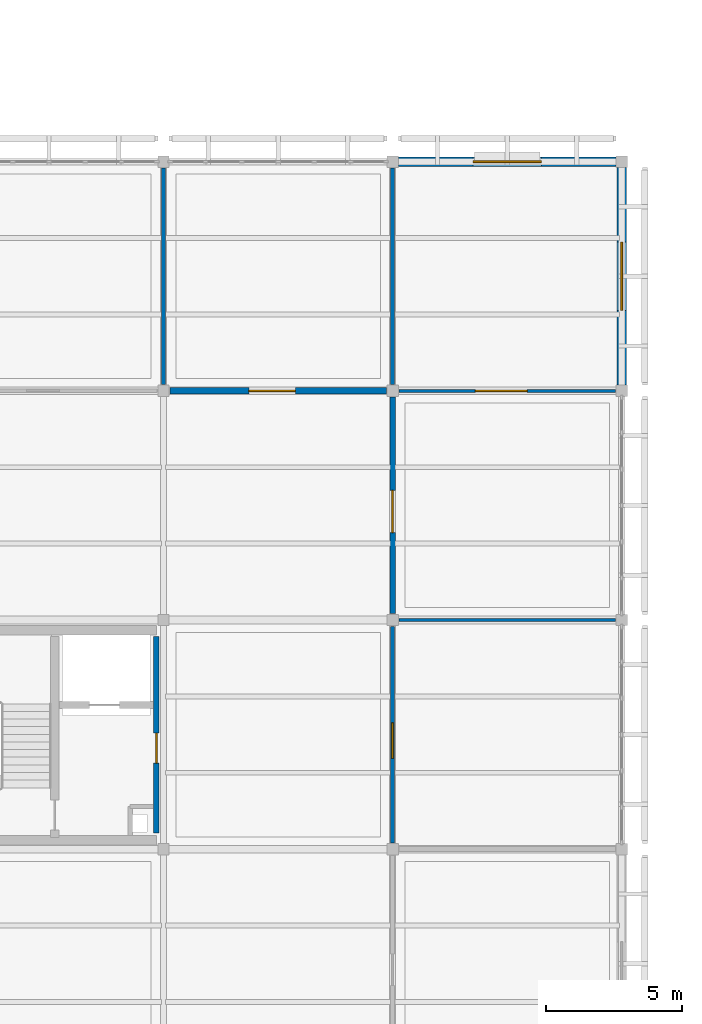
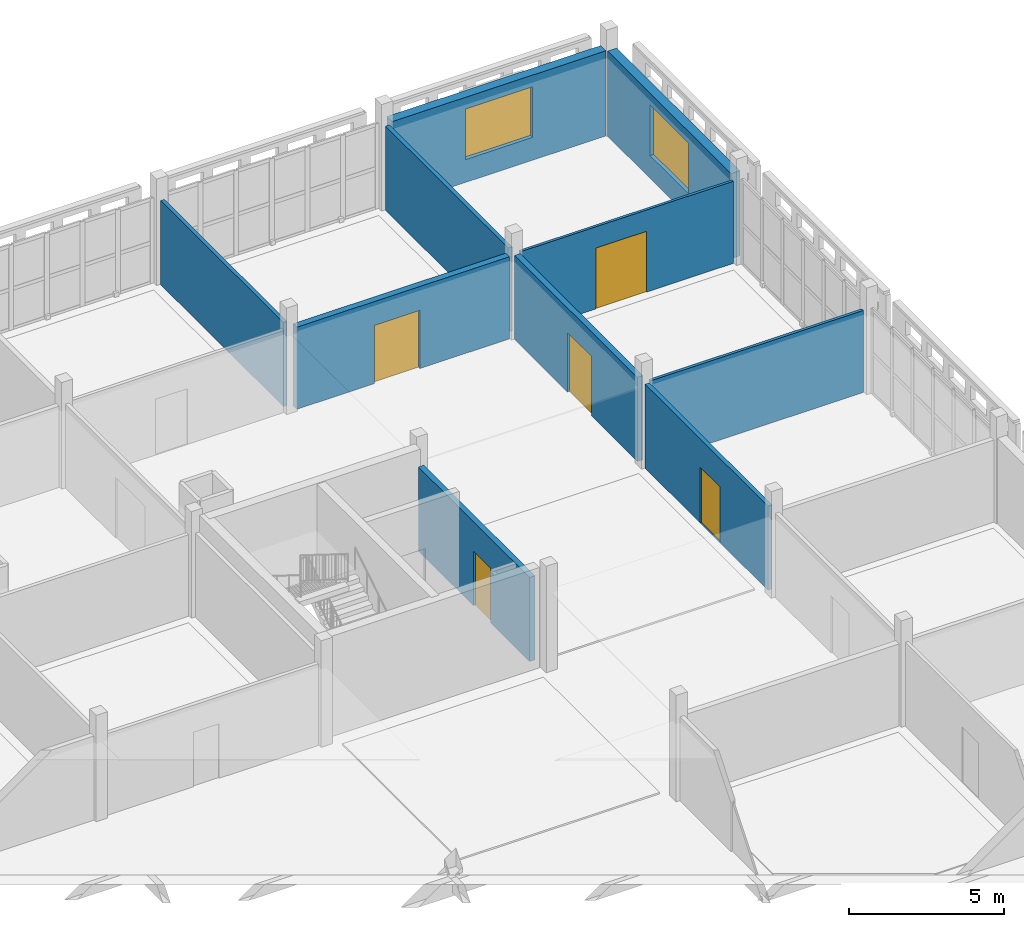
# One storey, part 107 of 166: 10 walls, 5 doors, 2 windows, 7 openings.
"""IFC4 building model written with IfcOpenShell, lengths in metres."""

from ifc_helpers import new_model, si_unit, direction, frame, frame_2d, origin, place, context, subcontext, project, spatial, rectangle, extrude, material, layer, layer_set, type_object, element, fill, save


model = new_model("IFC4")

# Units and contexts
model_context = context("Model", 3, precision=1e-05, world=origin(), true_north=direction((0.0, 1.0)))
body_context = subcontext(model_context, "Body", "Model", "MODEL_VIEW")
ifc_project = project(units=[si_unit("LENGTHUNIT", "METRE"), si_unit("AREAUNIT", "SQUARE_METRE"), si_unit("VOLUMEUNIT", "CUBIC_METRE"), si_unit("PLANEANGLEUNIT", "RADIAN"), si_unit("MASSUNIT", "GRAM", prefix="KILO")], contexts=[model_context])

# Site, building, storey
site_placement = place(None, origin())
site = spatial("IfcSite", under=ifc_project, at=site_placement, CompositionType="ELEMENT")
building_placement = place(site_placement, origin())
building = spatial("IfcBuilding", under=site, at=building_placement, Name="Varnapada Polytechnic", CompositionType="ELEMENT")
storey_placement = place(building_placement, frame((0.0, 0.0, 9.60009765625)))
storey = spatial("IfcBuildingStorey", under=building, at=storey_placement, Name="L02", CompositionType="ELEMENT", Elevation=9.60009765625)

# Wall, opening, door
ifc_material_1 = material(Name="Autoclaved Aerated Concrete Block AAC-600", Category="concrete")
ifc_layer_1 = layer(ifc_material_1, 0.199951171875)
ifc_layer_set_1 = layer_set([ifc_layer_1], Name="Autoclaved Aerated Concrete Block AAC-600")
wall_type_1 = type_object("IfcWallType", Name="Interior Wall IW-01", PredefinedType="PARTITIONING", material=ifc_layer_set_1)
wall_1_placement = place(storey_placement, frame((159.340087890625, 100.199951171875, 0.0), z_axis=(0.0, 0.0, 1.0), x_axis=(0.0, -1.0, 0.0)))
wall_1 = element("IfcWall", 1, at=wall_1_placement, inside=storey, type_object=wall_type_1, Name="L02 C5 firefighting lobby east wall", PredefinedType="PARTITIONING", context=body_context, shape_type="SweptSolid", body=[
    extrude(rectangle(XDim=7.199951171875, YDim=0.199951171875, at=frame_2d((3.60009765625, 0.0))), origin(), (0.0, 0.0, 1.0), 3.31982421875),
])
opening_1_placement = place(wall_1_placement, frame((3.550048828125, 0.0, 0.0)))
opening_1 = element("IfcOpeningElement", 2, at=opening_1_placement, cuts=wall_1, Name="Opening D-1094", PredefinedType="OPENING", context=body_context, shape_type="SweptSolid", body=[
    extrude(rectangle(XDim=1.10009765625, YDim=2.14990234375, at=frame_2d((0.550048828125, 1.074951171875))), frame((0.0, 0.10986328125, 0.0), z_axis=(0.0, -1.0, 0.0), x_axis=(1.0, 0.0, 0.0)), (0.0, 0.0, 1.0), 0.219970703125),
])
ifc_material_2 = material(Name="Galvanized Steel Z275", Category="steel")
door_type_1 = type_object("IfcDoorType", Name="Interior Door ID-01", OperationType="NOTDEFINED", PredefinedType="DOOR", material=ifc_material_2)
door_1_placement = place(opening_1_placement, frame((1.10009765625, 0.0, 0.0), z_axis=(0.0, 0.0, 1.0), x_axis=(-1.0, 0.0, 0.0)))
door_1 = element("IfcDoor", 3, at=door_1_placement, inside=storey, type_object=door_type_1, Name="L02 C5 lobby fire door D-1094", OperationType="SINGLE_SWING_RIGHT", OverallHeight=2.14990234375, OverallWidth=1.10009765625, PredefinedType="DOOR", context=body_context, shape_type="SweptSolid", body=[
    extrude(rectangle(XDim=1.10009765625, YDim=2.14990234375, at=frame_2d((0.550048828125, 1.074951171875))), frame((0.0, 0.02490234375, 0.0), z_axis=(0.0, -1.0, 0.0), x_axis=(1.0, 0.0, 0.0)), (0.0, 0.0, 1.0), 0.050048828125),
])
fill(opening_1, door_1)

# Walls
ifc_layer_2 = layer(ifc_material_1, 0.14990234375)
ifc_layer_set_2 = layer_set([ifc_layer_2], Name="Autoclaved Aerated Concrete Block AAC-600")
wall_type_2 = type_object("IfcWallType", Name="Interior Wall IW-02", PredefinedType="PARTITIONING", material=ifc_layer_set_2)
wall_2_placement = place(storey_placement, frame((168.0, 109.429931640625, 0.0), z_axis=(0.0, 0.0, 1.0), x_axis=(0.0, 1.0, 0.0)))
element("IfcWall", 4, at=wall_2_placement, inside=storey, type_object=wall_type_2, Name="L02 interior partition IW-L02-19-13-V", PredefinedType="PARTITIONING", context=body_context, shape_type="SweptSolid", body=[
    extrude(rectangle(XDim=7.940185546875, YDim=0.14990234375, at=frame_2d((3.97021484375, 0.0))), origin(), (0.0, 0.0, 1.0), 3.31982421875),
])
ifc_material_3 = material(Name="Moisture-Resistant Cement Board Partition")
ifc_layer_3 = layer(ifc_material_3, 0.139892578125)
ifc_layer_set_3 = layer_set([ifc_layer_3], Name="Moisture-Resistant Cement Board Partition")
wall_type_3 = type_object("IfcWallType", Name="Interior Wall IW-04", PredefinedType="PARTITIONING", material=ifc_layer_set_3)
wall_3_placement = place(storey_placement, frame((159.60009765625, 109.429931640625, 0.0), z_axis=(0.0, 0.0, 1.0), x_axis=(0.0, 1.0, 0.0)))
element("IfcWall", 5, at=wall_3_placement, inside=storey, type_object=wall_type_3, Name="L02 interior partition IW-L02-18-13-V", PredefinedType="PARTITIONING", context=body_context, shape_type="SweptSolid", body=[
    extrude(rectangle(XDim=7.940185546875, YDim=0.139892578125, at=frame_2d((3.97021484375, 0.0))), origin(), (0.0, 0.0, 1.0), 3.31982421875),
])
ifc_material_4 = material(Name="Glazed Timber-Framed Studio Screen", Category="wood")
ifc_layer_4 = layer(ifc_material_4, 0.110107421875)
ifc_layer_set_4 = layer_set([ifc_layer_4], Name="Glazed Timber-Framed Studio Screen")
wall_type_4 = type_object("IfcWallType", Name="Interior Wall IW-07", PredefinedType="PARTITIONING", material=ifc_layer_set_4)
wall_4_placement = place(storey_placement, frame((168.22998046875, 100.800048828125, 0.0), z_axis=(0.0, 0.0, 1.0), x_axis=(1.0, 0.0, 0.0)))
element("IfcWall", 6, at=wall_4_placement, inside=storey, type_object=wall_type_4, Name="L02 interior partition IW-L02-20-11-H", PredefinedType="PARTITIONING", context=body_context, shape_type="SweptSolid", body=[
    extrude(rectangle(XDim=7.93994140625, YDim=0.110107421875, at=frame_2d((3.969970703125, 0.0))), origin(), (0.0, 0.0, 1.0), 3.239990234375),
])

# Wall, opening, door
ifc_material_5 = material(Name="Operable Acoustic Seminar Partition")
ifc_layer_5 = layer(ifc_material_5, 0.10009765625)
ifc_layer_set_5 = layer_set([ifc_layer_5], Name="Operable Acoustic Seminar Partition")
wall_type_5 = type_object("IfcWallType", Name="Interior Wall IW-08", PredefinedType="MOVABLE", material=ifc_layer_set_5)
wall_5_placement = place(storey_placement, frame((168.22998046875, 109.199951171875, 0.0), z_axis=(0.0, 0.0, 1.0), x_axis=(1.0, 0.0, 0.0)))
wall_5 = element("IfcWall", 7, at=wall_5_placement, inside=storey, type_object=wall_type_5, Name="L02 interior partition IW-L02-20-12-H", PredefinedType="MOVABLE", context=body_context, shape_type="SweptSolid", body=[
    extrude(rectangle(XDim=7.93994140625, YDim=0.10009765625, at=frame_2d((3.969970703125, 0.0))), origin(), (0.0, 0.0, 1.0), 3.239990234375),
])
opening_2_placement = place(wall_5_placement, frame((2.800048828125, 0.0, 0.0)))
opening_2 = element("IfcOpeningElement", 8, at=opening_2_placement, cuts=wall_5, Name="Opening D-1185", PredefinedType="OPENING", context=body_context, shape_type="SweptSolid", body=[
    extrude(rectangle(XDim=1.89990234375, YDim=2.39990234375, at=frame_2d((0.949951171875, 1.199951171875))), frame((0.0, 0.06005859375, 0.0), z_axis=(0.0, -1.0, 0.0), x_axis=(1.0, 0.0, 0.0)), (0.0, 0.0, 1.0), 0.1201171875),
])
ifc_material_6 = material(Name="Heavy Workshop Double Steel Door", Category="steel")
door_type_2 = type_object("IfcDoorType", Name="Interior Door ID-14", OperationType="NOTDEFINED", PredefinedType="DOOR", material=ifc_material_6)
door_2_placement = place(opening_2_placement, origin())
door_2 = element("IfcDoor", 9, at=door_2_placement, inside=storey, type_object=door_type_2, Name="L02 interior room door D-1185", OperationType="SINGLE_SWING_RIGHT", OverallHeight=2.39990234375, OverallWidth=1.89990234375, PredefinedType="DOOR", context=body_context, shape_type="SweptSolid", body=[
    extrude(rectangle(XDim=1.89990234375, YDim=2.39990234375, at=frame_2d((0.949951171875, 1.199951171875))), frame((0.0, 0.02490234375, 0.0), z_axis=(0.0, -1.0, 0.0), x_axis=(1.0, 0.0, 0.0)), (0.0, 0.0, 1.0), 0.050048828125),
])
fill(opening_2, door_2)

ifc_material_7 = material(Name="Perforated Timber-Lined Seminar Wall", Category="wood")
ifc_layer_6 = layer(ifc_material_7, 0.155029296875)
ifc_layer_set_6 = layer_set([ifc_layer_6], Name="Perforated Timber-Lined Seminar Wall")
wall_type_6 = type_object("IfcWallType", Name="Interior Wall IW-15", PredefinedType="PARTITIONING", material=ifc_layer_set_6)
wall_6_placement = place(storey_placement, frame((168.0, 92.6298828125, 0.0), z_axis=(0.0, 0.0, 1.0), x_axis=(0.0, 1.0, 0.0)))
wall_6 = element("IfcWall", 10, at=wall_6_placement, inside=storey, type_object=wall_type_6, Name="L02 interior partition IW-L02-19-11-V", PredefinedType="PARTITIONING", context=body_context, shape_type="SweptSolid", body=[
    extrude(rectangle(XDim=7.940185546875, YDim=0.155029296875, at=frame_2d((3.97021484375, 0.0))), origin(), (0.0, 0.0, 1.0), 3.31982421875),
])
opening_3_placement = place(wall_6_placement, frame((3.10009765625, 0.0, 0.0)))
opening_3 = element("IfcOpeningElement", 11, at=opening_3_placement, cuts=wall_6, Name="Opening D-1182", PredefinedType="OPENING", context=body_context, shape_type="SweptSolid", body=[
    extrude(rectangle(XDim=1.300048828125, YDim=2.199951171875, at=frame_2d((0.64990234375, 1.10009765625))), frame((0.0, 0.08740234375, 0.0), z_axis=(0.0, -1.0, 0.0), x_axis=(1.0, 0.0, 0.0)), (0.0, 0.0, 1.0), 0.175048828125),
])
ifc_material_8 = material(Name="Acoustic Laminated Timber Leaf", Category="wood")
door_type_3 = type_object("IfcDoorType", Name="Interior Door ID-11", OperationType="NOTDEFINED", PredefinedType="DOOR", material=ifc_material_8)
door_3_placement = place(opening_3_placement, origin())
door_3 = element("IfcDoor", 12, at=door_3_placement, inside=storey, type_object=door_type_3, Name="L02 interior room door D-1182", OperationType="SINGLE_SWING_LEFT", OverallHeight=2.199951171875, OverallWidth=1.300048828125, PredefinedType="DOOR", context=body_context, shape_type="SweptSolid", body=[
    extrude(rectangle(XDim=1.300048828125, YDim=2.199951171875, at=frame_2d((0.64990234375, 1.10009765625))), frame((0.0, 0.02490234375, 0.0), z_axis=(0.0, -1.0, 0.0), x_axis=(1.0, 0.0, 0.0)), (0.0, 0.0, 1.0), 0.050048828125),
])
fill(opening_3, door_3)

ifc_material_9 = material(Name="Heavy Masonry Workshop Partition", Category="masonry")
ifc_layer_7 = layer(ifc_material_9, 0.2099609375)
ifc_layer_set_7 = layer_set([ifc_layer_7], Name="Heavy Masonry Workshop Partition")
wall_type_7 = type_object("IfcWallType", Name="Interior Wall IW-16", PredefinedType="PARTITIONING", material=ifc_layer_set_7)
wall_7_placement = place(storey_placement, frame((168.0, 101.030029296875, 0.0), z_axis=(0.0, 0.0, 1.0), x_axis=(0.0, 1.0, 0.0)))
wall_7 = element("IfcWall", 13, at=wall_7_placement, inside=storey, type_object=wall_type_7, Name="L02 interior partition IW-L02-19-12-V", PredefinedType="PARTITIONING", context=body_context, shape_type="SweptSolid", body=[
    extrude(rectangle(XDim=7.93994140625, YDim=0.2099609375, at=frame_2d((3.969970703125, 0.0))), origin(), (0.0, 0.0, 1.0), 3.31982421875),
])
opening_4_placement = place(wall_7_placement, frame((2.97509765625, 0.0, 0.0)))
opening_4 = element("IfcOpeningElement", 14, at=opening_4_placement, cuts=wall_7, Name="Opening D-1183", PredefinedType="OPENING", context=body_context, shape_type="SweptSolid", body=[
    extrude(rectangle(XDim=1.550048828125, YDim=2.35009765625, at=frame_2d((0.77490234375, 1.175048828125))), frame((0.0, 0.114990234375, 0.0), z_axis=(0.0, -1.0, 0.0), x_axis=(1.0, 0.0, 0.0)), (0.0, 0.0, 1.0), 0.22998046875),
])
door_type_4 = type_object("IfcDoorType", Name="Interior Door ID-12", OperationType="NOTDEFINED", PredefinedType="DOOR", material=ifc_material_2)
door_4_placement = place(opening_4_placement, origin())
door_4 = element("IfcDoor", 15, at=door_4_placement, inside=storey, type_object=door_type_4, Name="L02 interior room door D-1183", OperationType="SINGLE_SWING_RIGHT", OverallHeight=2.35009765625, OverallWidth=1.550048828125, PredefinedType="DOOR", context=body_context, shape_type="SweptSolid", body=[
    extrude(rectangle(XDim=1.550048828125, YDim=2.35009765625, at=frame_2d((0.77490234375, 1.175048828125))), frame((0.0, 0.02490234375, 0.0), z_axis=(0.0, -1.0, 0.0), x_axis=(1.0, 0.0, 0.0)), (0.0, 0.0, 1.0), 0.050048828125),
])
fill(opening_4, door_4)

ifc_material_10 = material(Name="Double-Leaf Acoustic Lecture Wall")
ifc_layer_8 = layer(ifc_material_10, 0.235107421875)
ifc_layer_set_8 = layer_set([ifc_layer_8], Name="Double-Leaf Acoustic Lecture Wall")
wall_type_8 = type_object("IfcWallType", Name="Interior Wall IW-17", PredefinedType="PARTITIONING", material=ifc_layer_set_8)
wall_8_placement = place(storey_placement, frame((159.830078125, 109.199951171875, 0.0), z_axis=(0.0, 0.0, 1.0), x_axis=(1.0, 0.0, 0.0)))
wall_8 = element("IfcWall", 16, at=wall_8_placement, inside=storey, type_object=wall_type_8, Name="L02 interior partition IW-L02-19-12-H", PredefinedType="PARTITIONING", context=body_context, shape_type="SweptSolid", body=[
    extrude(rectangle(XDim=7.93994140625, YDim=0.235107421875, at=frame_2d((3.969970703125, 0.0))), origin(), (0.0, 0.0, 1.0), 3.239990234375),
])
opening_5_placement = place(wall_8_placement, frame((2.89990234375, 0.0, 0.0)))
opening_5 = element("IfcOpeningElement", 17, at=opening_5_placement, cuts=wall_8, Name="Opening D-1184", PredefinedType="OPENING", context=body_context, shape_type="SweptSolid", body=[
    extrude(rectangle(XDim=1.699951171875, YDim=2.300048828125, at=frame_2d((0.85009765625, 1.14990234375))), frame((0.0, 0.12744140625, 0.0), z_axis=(0.0, -1.0, 0.0), x_axis=(1.0, 0.0, 0.0)), (0.0, 0.0, 1.0), 0.255126953125),
])
ifc_material_11 = material(Name="Acoustic Double Timber Leaf", Category="wood")
door_type_5 = type_object("IfcDoorType", Name="Interior Door ID-13", OperationType="NOTDEFINED", PredefinedType="DOOR", material=ifc_material_11)
door_5_placement = place(opening_5_placement, frame((1.699951171875, 0.0, 0.0), z_axis=(0.0, 0.0, 1.0), x_axis=(-1.0, 0.0, 0.0)))
door_5 = element("IfcDoor", 18, at=door_5_placement, inside=storey, type_object=door_type_5, Name="L02 interior room door D-1184", OperationType="SINGLE_SWING_LEFT", OverallHeight=2.300048828125, OverallWidth=1.699951171875, PredefinedType="DOOR", context=body_context, shape_type="SweptSolid", body=[
    extrude(rectangle(XDim=1.699951171875, YDim=2.300048828125, at=frame_2d((0.85009765625, 1.14990234375))), frame((0.0, 0.02490234375, 0.0), z_axis=(0.0, -1.0, 0.0), x_axis=(1.0, 0.0, 0.0)), (0.0, 0.0, 1.0), 0.050048828125),
])
fill(opening_5, door_5)

# Wall, opening, window
ifc_material_12 = material(Name="Precast concrete C40/50", Category="concrete")
ifc_layer_9 = layer(ifc_material_12, 0.340087890625)
ifc_layer_set_9 = layer_set([ifc_layer_9], Name="Precast concrete C40/50")
wall_type_9 = type_object("IfcWallType", Name="Wall EW-07", PredefinedType="SOLIDWALL", material=ifc_layer_set_9)
wall_9_placement = place(storey_placement, frame((168.2099609375, 117.60009765625, 0.0), z_axis=(0.0, 0.0, 1.0), x_axis=(1.0, 0.0, 0.0)))
wall_9 = element("IfcWall", 19, at=wall_9_placement, inside=storey, type_object=wall_type_9, Name="L02 exterior wall EW-07 (115)", PredefinedType="SOLIDWALL", context=body_context, shape_type="SweptSolid", body=[
    extrude(rectangle(XDim=7.97998046875, YDim=0.340087890625, at=frame_2d((3.989990234375, 0.0))), origin(), (0.0, 0.0, 1.0), 3.35986328125),
])
opening_6_placement = place(wall_9_placement, frame((2.739990234375, 0.0, 0.89990234375)))
opening_6 = element("IfcOpeningElement", 20, at=opening_6_placement, cuts=wall_9, Name="Opening WN-17", PredefinedType="OPENING", context=body_context, shape_type="SweptSolid", body=[
    extrude(rectangle(XDim=2.5, YDim=2.0, at=frame_2d((1.25, 1.0))), frame((0.0, 0.179931640625, 0.0), z_axis=(0.0, -1.0, 0.0), x_axis=(1.0, 0.0, 0.0)), (0.0, 0.0, 1.0), 0.360107421875),
])
ifc_material_13 = material(Name="Double low-E laminated glass", Category="glass")
window_type = type_object("IfcWindowType", Name="Window WN-17", PartitioningType="SINGLE_PANEL", PredefinedType="WINDOW", material=ifc_material_13)
window_1_placement = place(opening_6_placement, origin())
window_1 = element("IfcWindow", 21, at=window_1_placement, inside=storey, type_object=window_type, Name="L02 window WN-17 (130)", OverallHeight=2.0, OverallWidth=2.5, PartitioningType="SINGLE_PANEL", PredefinedType="WINDOW", context=body_context, shape_type="SweptSolid", body=[
    extrude(rectangle(XDim=2.5, YDim=2.0, at=frame_2d((1.25, 1.0))), frame((0.0, 0.030029296875, 0.0), z_axis=(0.0, -1.0, 0.0), x_axis=(1.0, 0.0, 0.0)), (0.0, 0.0, 1.0), 0.06005859375),
])
fill(opening_6, window_1)

wall_10_placement = place(storey_placement, frame((176.39990234375, 117.389892578125, 0.0), z_axis=(0.0, 0.0, 1.0), x_axis=(0.0, -1.0, 0.0)))
wall_10 = element("IfcWall", 22, at=wall_10_placement, inside=storey, type_object=wall_type_9, Name="L02 exterior wall EW-07 (116)", PredefinedType="SOLIDWALL", context=body_context, shape_type="SweptSolid", body=[
    extrude(rectangle(XDim=7.97998046875, YDim=0.340087890625, at=frame_2d((3.989990234375, 0.0))), origin(), (0.0, 0.0, 1.0), 3.35986328125),
])
opening_7_placement = place(wall_10_placement, frame((2.739990234375, 0.0, 0.89990234375)))
opening_7 = element("IfcOpeningElement", 23, at=opening_7_placement, cuts=wall_10, Name="Opening WN-17", PredefinedType="OPENING", context=body_context, shape_type="SweptSolid", body=[
    extrude(rectangle(XDim=2.5, YDim=2.0, at=frame_2d((1.25, 1.0))), frame((0.0, 0.179931640625, 0.0), z_axis=(0.0, -1.0, 0.0), x_axis=(1.0, 0.0, 0.0)), (0.0, 0.0, 1.0), 0.360107421875),
])
window_2_placement = place(opening_7_placement, origin())
window_2 = element("IfcWindow", 24, at=window_2_placement, inside=storey, type_object=window_type, Name="L02 window WN-17 (131)", OverallHeight=2.0, OverallWidth=2.5, PartitioningType="SINGLE_PANEL", PredefinedType="WINDOW", context=body_context, shape_type="SweptSolid", body=[
    extrude(rectangle(XDim=2.5, YDim=2.0, at=frame_2d((1.25, 1.0))), frame((0.0, 0.030029296875, 0.0), z_axis=(0.0, -1.0, 0.0), x_axis=(1.0, 0.0, 0.0)), (0.0, 0.0, 1.0), 0.06005859375),
])
fill(opening_7, window_2)

save(model, "model.ifc")
